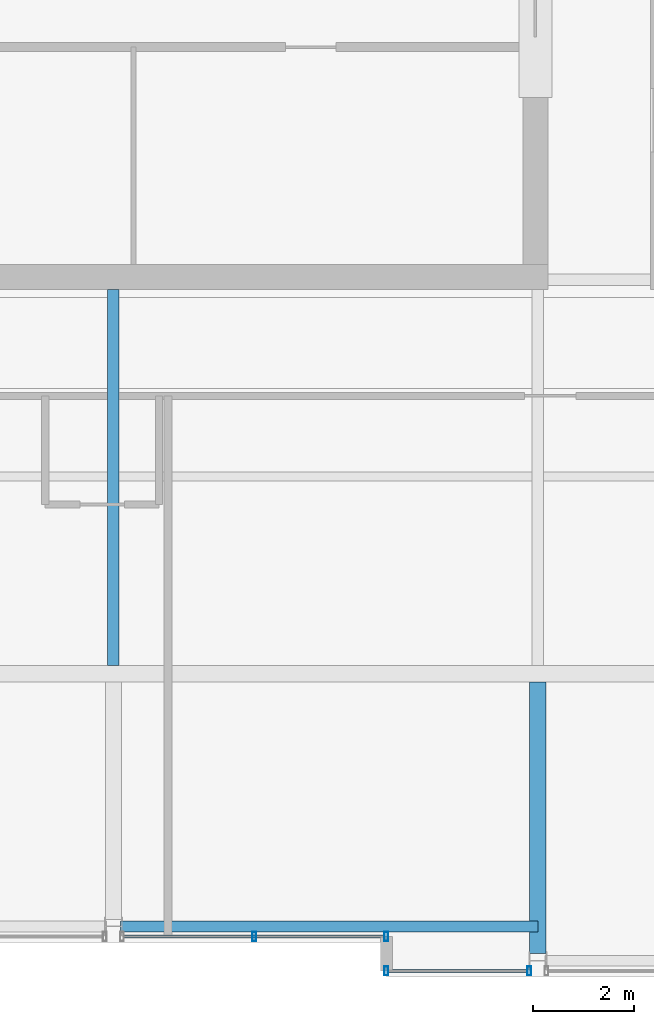
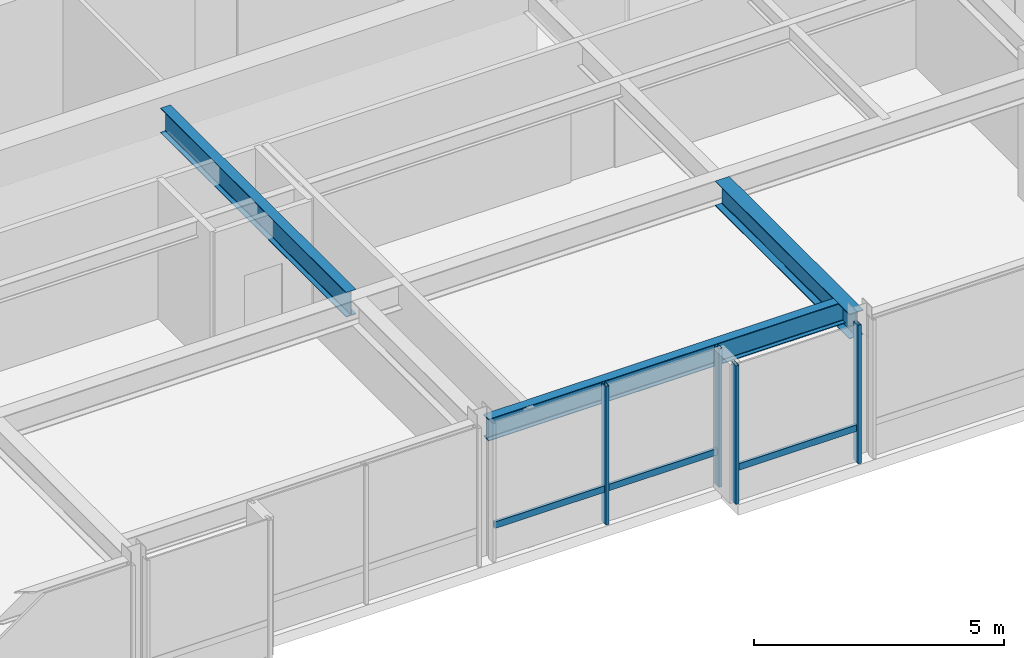
# One storey, part 9 of 33: 6 members, 3 beams, 2 elements without a shape of their own.
"""IFC4 building model written with IfcOpenShell, lengths in metres."""

from ifc_helpers import new_model, si_unit, direction, frame, origin, origin_2d, place, context, subcontext, project, spatial, hollow_rectangle, i_section, extrude, material, layer, layer_set, material_profile, profile_set, type_object, element, aggregate, save


model = new_model("IFC4")

# Units and contexts
model_context = context("Model", 3, precision=1e-05, world=origin(), true_north=direction((0.0, 1.0)))
body_context = subcontext(model_context, "Body", "Model", "MODEL_VIEW")
ifc_project = project(units=[si_unit("LENGTHUNIT", "METRE"), si_unit("AREAUNIT", "SQUARE_METRE"), si_unit("VOLUMEUNIT", "CUBIC_METRE"), si_unit("PLANEANGLEUNIT", "RADIAN"), si_unit("MASSUNIT", "GRAM", prefix="KILO")], contexts=[model_context])

# Site, building, storey
site_placement = place(None, origin())
site = spatial("IfcSite", under=ifc_project, at=site_placement, CompositionType="ELEMENT")
building_placement = place(site_placement, origin())
building = spatial("IfcBuilding", under=site, at=building_placement, Name="Drelvath Grand Hotel", CompositionType="ELEMENT")
storey_placement = place(building_placement, frame((0.0, 0.0, 275.949951171875)))
storey = spatial("IfcBuildingStorey", under=building, at=storey_placement, Name="L72", CompositionType="ELEMENT", Elevation=275.949951171875)

# Curtain wall, member
ifc_material_1 = material(Name="Platinum-Mist Anodised Aluminium Frame", Category="aluminium")
ifc_layer = layer(ifc_material_1, 0.199951171875)
ifc_layer_set = layer_set([ifc_layer], Name="Platinum-Mist Anodised Aluminium Frame")
curtain_wall_type = type_object("IfcCurtainWallType", Name="Stick Curtain Wall CW-05 Platinum Mist High-Rise", PredefinedType="NOTDEFINED", material=ifc_layer_set)
curtain_wall_1_placement = place(storey_placement, origin())
curtain_wall_1 = element("IfcCurtainWall", 1, at=curtain_wall_1_placement, inside=storey, type_object=curtain_wall_type, Name="L72 CW-05 Curtain Wall CW05-L72-SE1", PredefinedType="NOTDEFINED")
ifc_material_profile_1 = material_profile(ifc_material_1, hollow_rectangle(XDim=0.06494140625, YDim=0.159912109375, WallThickness=0.00390625, at=origin_2d()), Name="HSS160X65X4")
ifc_profile_set_1 = profile_set([ifc_material_profile_1], Name="Platinum-Mist Anodised Aluminium Frame")
member_type_1 = type_object("IfcMemberType", Name="Curtain Wall Horizontal Transom CW-05 HSS160X65X4", PredefinedType="USERDEFINED", material=ifc_profile_set_1)
member_1_placement = place(storey_placement, frame((8.18994140625, 4.919921875, 0.84765625), z_axis=(-1.0, 0.0, 0.0), x_axis=(0.0, -1.0, 0.0)))
member_1 = element("IfcMember", 2, at=member_1_placement, type_object=member_type_1, Name="CW05-L72-SE1 Sill Transom", ObjectType="TRANSOM", PredefinedType="USERDEFINED", context=body_context, shape_type="SweptSolid", body=[
    extrude(hollow_rectangle(XDim=0.06494140625, YDim=0.159912109375, WallThickness=0.00390625, at=origin_2d()), origin(), (0.0, 0.0, 1.0), 2.75),
])

curtain_wall_2_placement = place(storey_placement, origin())
curtain_wall_2 = element("IfcCurtainWall", 3, at=curtain_wall_2_placement, inside=storey, type_object=curtain_wall_type, Name="L72 CW-05 Curtain Wall CW05-L72-SM2", PredefinedType="NOTDEFINED")
member_2_placement = place(storey_placement, frame((5.360107421875, 5.60009765625, 0.84765625), z_axis=(-1.0, 0.0, 0.0), x_axis=(0.0, -1.0, 0.0)))
member_2 = element("IfcMember", 4, at=member_2_placement, type_object=member_type_1, Name="CW05-L72-SM2 Sill Transom", ObjectType="TRANSOM", PredefinedType="USERDEFINED", context=body_context, shape_type="SweptSolid", body=[
    extrude(hollow_rectangle(XDim=0.06494140625, YDim=0.159912109375, WallThickness=0.00390625, at=origin_2d()), origin(), (0.0, 0.0, 1.0), 5.14990234375),
])

# Member
ifc_material_profile_2 = material_profile(ifc_material_1, hollow_rectangle(XDim=0.074951171875, YDim=0.179931640625, WallThickness=0.0048828125, at=origin_2d()), Name="HSS180X75X5")
ifc_profile_set_2 = profile_set([ifc_material_profile_2], Name="Platinum-Mist Anodised Aluminium Frame")
member_type_2 = type_object("IfcMemberType", Name="Curtain Wall Vertical Mullion CW-05 HSS180X75X5", PredefinedType="MULLION", material=ifc_profile_set_2)
member_3_placement = place(storey_placement, frame((8.22998046875, 4.919921875, 0.0), z_axis=(0.0, 0.0, 1.0), x_axis=(1.0, 0.0, 0.0)))
member_3 = element("IfcMember", 5, at=member_3_placement, type_object=member_type_2, Name="CW05-L72-SE1 Mullion 1", PredefinedType="MULLION", context=body_context, shape_type="SweptSolid", body=[
    extrude(hollow_rectangle(XDim=0.074951171875, YDim=0.179931640625, WallThickness=0.0048828125, at=origin_2d()), origin(), (0.0, 0.0, 1.0), 3.39013671875),
])

member_4_placement = place(storey_placement, frame((5.39990234375, 4.919921875, 0.0), z_axis=(0.0, 0.0, 1.0), x_axis=(1.0, 0.0, 0.0)))
member_4 = element("IfcMember", 6, at=member_4_placement, type_object=member_type_2, Name="CW05-L72-SE1 Mullion 2", PredefinedType="MULLION", context=body_context, shape_type="SweptSolid", body=[
    extrude(hollow_rectangle(XDim=0.074951171875, YDim=0.179931640625, WallThickness=0.0048828125, at=origin_2d()), origin(), (0.0, 0.0, 1.0), 3.39013671875),
])

aggregate(curtain_wall_1, [member_3, member_4, member_1])

member_5_placement = place(storey_placement, frame((5.39990234375, 5.60009765625, 0.0), z_axis=(0.0, 0.0, 1.0), x_axis=(1.0, 0.0, 0.0)))
member_5 = element("IfcMember", 7, at=member_5_placement, type_object=member_type_2, Name="CW05-L72-SM2 Mullion 1", PredefinedType="MULLION", context=body_context, shape_type="SweptSolid", body=[
    extrude(hollow_rectangle(XDim=0.074951171875, YDim=0.179931640625, WallThickness=0.0048828125, at=origin_2d()), origin(), (0.0, 0.0, 1.0), 3.39013671875),
])

member_6_placement = place(storey_placement, frame((2.78515625, 5.60009765625, 0.0), z_axis=(0.0, 0.0, 1.0), x_axis=(1.0, 0.0, 0.0)))
member_6 = element("IfcMember", 8, at=member_6_placement, type_object=member_type_2, Name="CW05-L72-SM2 Mullion 2", PredefinedType="MULLION", context=body_context, shape_type="SweptSolid", body=[
    extrude(hollow_rectangle(XDim=0.074951171875, YDim=0.179931640625, WallThickness=0.0048828125, at=origin_2d()), origin(), (0.0, 0.0, 1.0), 3.39013671875),
])

aggregate(curtain_wall_2, [member_5, member_6, member_2])

# Beams
ifc_material_2 = material(Name="Steel ASTM A992 Gr 50", Category="steel")
ifc_material_profile_3 = material_profile(ifc_material_2, i_section(OverallWidth=0.210205078125, OverallDepth=0.53662109375, WebThickness=0.010986328125, FlangeThickness=0.017333984375, FilletRadius=0.01806640625, at=origin_2d()), Name="W21X68")
ifc_profile_set_3 = profile_set([ifc_material_profile_3], Name="Steel ASTM A992 Gr 50")
beam_type_1 = type_object("IfcBeamType", Name="Perimeter Spandrel Beam W21X68", PredefinedType="SPANDREL", material=ifc_profile_set_3)
beam_1_placement = place(storey_placement, frame((0.139892578125, 5.800048828125, 3.12158203125), z_axis=(1.0, 0.0, 0.0), x_axis=(0.0, 1.0, 0.0)))
element("IfcBeam", 9, at=beam_1_placement, inside=storey, type_object=beam_type_1, Name="L72 Spandrel South Mid E", PredefinedType="SPANDREL", context=body_context, shape_type="SweptSolid", body=[
    extrude(i_section(OverallWidth=0.210205078125, OverallDepth=0.53662109375, WebThickness=0.010986328125, FlangeThickness=0.017333984375, FilletRadius=0.01806640625, at=origin_2d()), origin(), (0.0, 0.0, 1.0), 8.260009765625),
])
ifc_material_profile_4 = material_profile(ifc_material_2, i_section(OverallWidth=0.323974609375, OverallDepth=0.611083984375, WebThickness=0.0126953125, FlangeThickness=0.01904296875, FilletRadius=0.02197265625, at=origin_2d()), Name="W24X104")
ifc_profile_set_4 = profile_set([ifc_material_profile_4], Name="Steel ASTM A992 Gr 50")
beam_type_2 = type_object("IfcBeamType", Name="Primary Floor Girder W24X104", PredefinedType="BEAM", material=ifc_profile_set_4)
beam_2_placement = place(storey_placement, frame((8.39990234375, 5.260009765625, 3.08447265625), z_axis=(0.0, 1.0, 0.0), x_axis=(-1.0, 0.0, 0.0)))
element("IfcBeam", 10, at=beam_2_placement, inside=storey, type_object=beam_type_2, Name="L72 South Wing Girder 6", PredefinedType="BEAM", context=body_context, shape_type="SweptSolid", body=[
    extrude(i_section(OverallWidth=0.323974609375, OverallDepth=0.611083984375, WebThickness=0.0126953125, FlangeThickness=0.01904296875, FilletRadius=0.02197265625, at=origin_2d()), origin(), (0.0, 0.0, 1.0), 5.3779296875),
])
ifc_material_profile_5 = material_profile(ifc_material_2, i_section(OverallWidth=0.228271484375, OverallDepth=0.607666015625, WebThickness=0.01123046875, FlangeThickness=0.017333984375, FilletRadius=0.02001953125, at=origin_2d()), Name="W24X76")
ifc_profile_set_5 = profile_set([ifc_material_profile_5], Name="Steel ASTM A992 Gr 50")
beam_type_3 = type_object("IfcBeamType", Name="Primary Floor Girder W24X76", PredefinedType="BEAM", material=ifc_profile_set_5)
beam_3_placement = place(storey_placement, frame((0.0, 10.9619140625, 3.086181640625), z_axis=(0.0, 1.0, 0.0), x_axis=(-1.0, 0.0, 0.0)))
element("IfcBeam", 11, at=beam_3_placement, inside=storey, type_object=beam_type_3, Name="L72 South Core Tie 5", PredefinedType="BEAM", context=body_context, shape_type="SweptSolid", body=[
    extrude(i_section(OverallWidth=0.228271484375, OverallDepth=0.607666015625, WebThickness=0.01123046875, FlangeThickness=0.017333984375, FilletRadius=0.02001953125, at=origin_2d()), origin(), (0.0, 0.0, 1.0), 7.43798828125),
])

save(model, "model.ifc")
